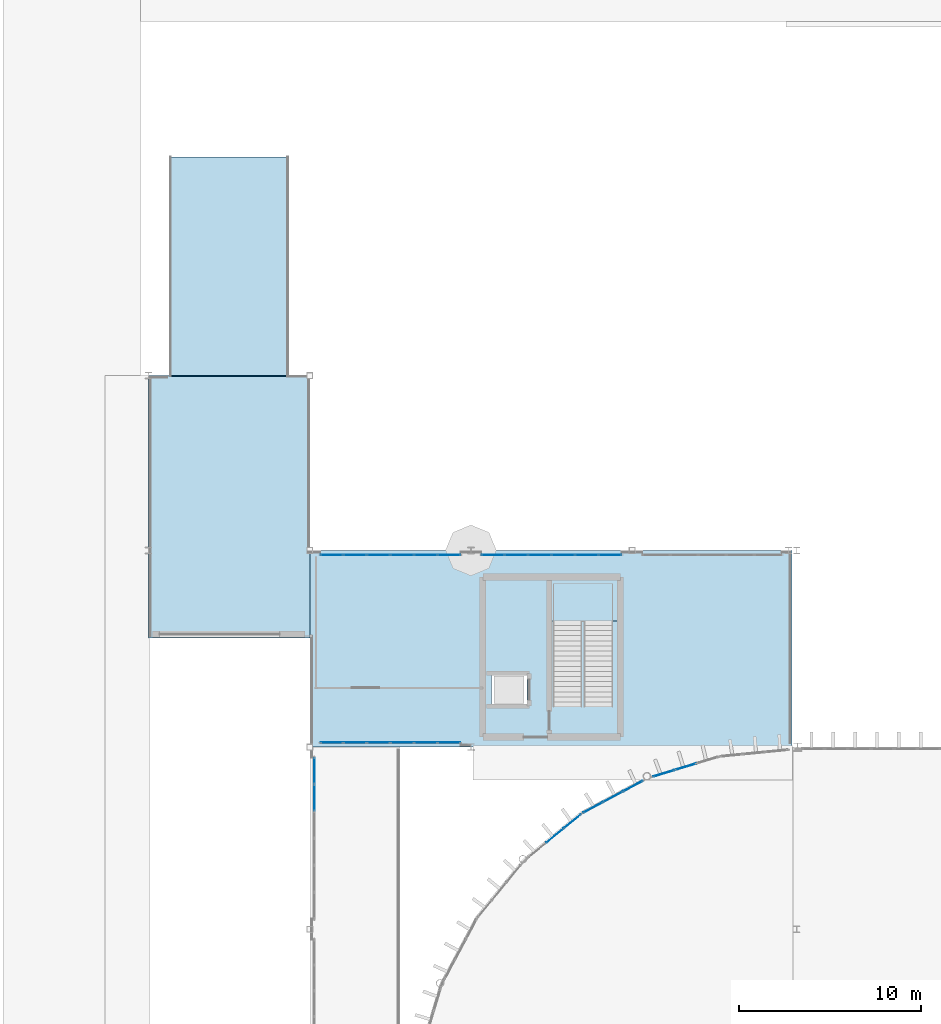
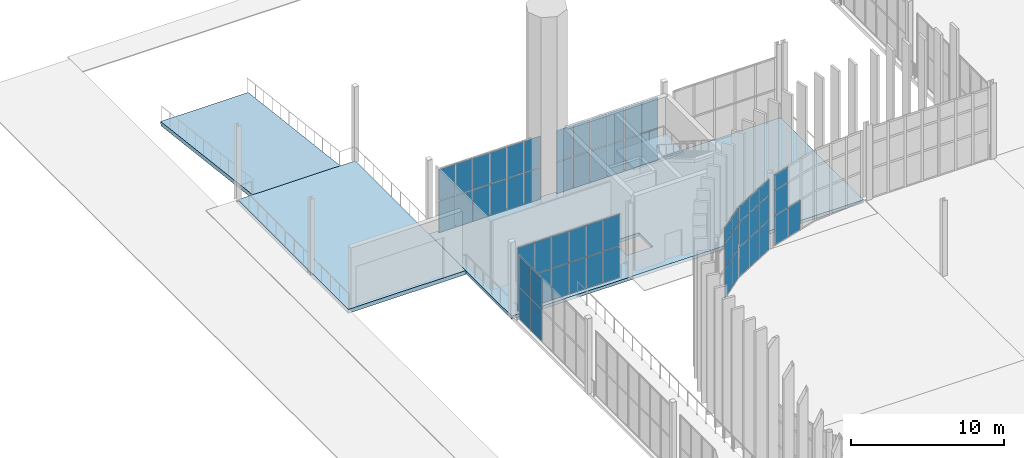
# One storey, part 77 of 139: 59 plates, 4 slabs, 8 elements without a shape of their own.
"""IFC4 building model written with IfcOpenShell, lengths in metres."""

from ifc_helpers import new_model, si_unit, direction, frame, origin, origin_2d, place, context, subcontext, project, spatial, polyline, rectangle, outline, extrude, material, layer, layer_set, type_object, element, aggregate, save


model = new_model("IFC4")

# Units and contexts
model_context = context("Model", 3, precision=1e-05, world=origin(), true_north=direction((0.0, 1.0)))
body_context = subcontext(model_context, "Body", "Model", "MODEL_VIEW")
ifc_project = project(units=[si_unit("LENGTHUNIT", "METRE"), si_unit("AREAUNIT", "SQUARE_METRE"), si_unit("VOLUMEUNIT", "CUBIC_METRE"), si_unit("PLANEANGLEUNIT", "RADIAN"), si_unit("MASSUNIT", "GRAM", prefix="KILO")], contexts=[model_context])

# Site, building, storey
site_placement = place(None, origin())
site = spatial("IfcSite", under=ifc_project, at=site_placement, CompositionType="ELEMENT")
building_placement = place(site_placement, origin())
building = spatial("IfcBuilding", under=site, at=building_placement, Name="Yeouljin Market Hall", CompositionType="ELEMENT")
storey_placement = place(building_placement, origin())
storey = spatial("IfcBuildingStorey", under=building, at=storey_placement, Name="L00", CompositionType="ELEMENT", Elevation=0.0)

# Curtain wall, plates
ifc_material_1 = material(Name="Thermally Broken Aluminium", Category="aluminium")
ifc_layer_1 = layer(ifc_material_1, 0.179931640625)
ifc_layer_set_1 = layer_set([ifc_layer_1], Name="Thermally Broken Aluminium")
curtain_wall_type_1 = type_object("IfcCurtainWallType", Name="CW_ApseCurved_System", PredefinedType="USERDEFINED", material=ifc_layer_set_1)
curtain_wall_1_placement = place(storey_placement, origin())
curtain_wall_1 = element("IfcCurtainWall", 1, at=curtain_wall_1_placement, inside=storey, type_object=curtain_wall_type_1, Name="Curtain wall CW-AP-WL00-13", ObjectType="CURTAIN WALL", PredefinedType="USERDEFINED")
ifc_material_2 = material(Name="Low-E Insulated Glass", Category="glass")
ifc_layer_2 = layer(ifc_material_2, 0.031982421875)
ifc_layer_set_2 = layer_set([ifc_layer_2], Name="Low-E Insulated Glass")
plate_type_1 = type_object("IfcPlateType", Name="CWPanel_AcousticGlass_32", PredefinedType="CURTAIN_PANEL", material=ifc_layer_set_2)
plate_1_placement = place(storey_placement, frame((22.310302734375, 73.138916015625, 0.0478515625), z_axis=(0.0, 0.0, 1.0), x_axis=(0.773017717982, 0.634384432096, 0.0)))
plate_1 = element("IfcPlate", 2, at=plate_1_placement, type_object=plate_type_1, Name="CW-03 panel 2.1", PredefinedType="CURTAIN_PANEL", context=body_context, shape_type="SweptSolid", body=[
    extrude(rectangle(XDim=1.209716796875, YDim=0.031982421875, at=origin_2d()), origin(), (0.0, 0.0, 1.0), 2.327880859375),
])
plate_2_placement = place(storey_placement, frame((22.310302734375, 73.138916015625, 2.423828125), z_axis=(0.0, 0.0, 1.0), x_axis=(0.773017717982, 0.634384432096, 0.0)))
plate_2 = element("IfcPlate", 3, at=plate_2_placement, type_object=plate_type_1, Name="CW-03 panel 2.2", PredefinedType="CURTAIN_PANEL", context=body_context, shape_type="SweptSolid", body=[
    extrude(rectangle(XDim=1.209716796875, YDim=0.031982421875, at=origin_2d()), origin(), (0.0, 0.0, 1.0), 1.951904296875),
])
plate_3_placement = place(storey_placement, frame((22.310302734375, 73.138916015625, 4.424072265625), z_axis=(0.0, 0.0, 1.0), x_axis=(0.773017717982, 0.634384432096, 0.0)))
plate_3 = element("IfcPlate", 4, at=plate_3_placement, type_object=plate_type_1, Name="CW-03 panel 2.3", PredefinedType="CURTAIN_PANEL", context=body_context, shape_type="SweptSolid", body=[
    extrude(rectangle(XDim=1.209716796875, YDim=0.031982421875, at=origin_2d()), origin(), (0.0, 0.0, 1.0), 1.2080078125),
])
plate_4_placement = place(storey_placement, frame((23.2734375, 73.92919921875, 0.0478515625), z_axis=(0.0, 0.0, 1.0), x_axis=(0.773017717982, 0.634384432096, 0.0)))
plate_4 = element("IfcPlate", 5, at=plate_4_placement, type_object=plate_type_1, Name="CW-03 panel 3.1", PredefinedType="CURTAIN_PANEL", context=body_context, shape_type="SweptSolid", body=[
    extrude(rectangle(XDim=1.185791015625, YDim=0.031982421875, at=origin_2d()), origin(), (0.0, 0.0, 1.0), 2.327880859375),
])
plate_5_placement = place(storey_placement, frame((23.2734375, 73.92919921875, 2.423828125), z_axis=(0.0, 0.0, 1.0), x_axis=(0.773017717982, 0.634384432096, 0.0)))
plate_5 = element("IfcPlate", 6, at=plate_5_placement, type_object=plate_type_1, Name="CW-03 panel 3.2", PredefinedType="CURTAIN_PANEL", context=body_context, shape_type="SweptSolid", body=[
    extrude(rectangle(XDim=1.185791015625, YDim=0.031982421875, at=origin_2d()), origin(), (0.0, 0.0, 1.0), 1.951904296875),
])
plate_6_placement = place(storey_placement, frame((23.2734375, 73.92919921875, 4.424072265625), z_axis=(0.0, 0.0, 1.0), x_axis=(0.773017717982, 0.634384432096, 0.0)))
plate_6 = element("IfcPlate", 7, at=plate_6_placement, type_object=plate_type_1, Name="CW-03 panel 3.3", PredefinedType="CURTAIN_PANEL", context=body_context, shape_type="SweptSolid", body=[
    extrude(rectangle(XDim=1.185791015625, YDim=0.031982421875, at=origin_2d()), origin(), (0.0, 0.0, 1.0), 1.2080078125),
])
aggregate(curtain_wall_1, [plate_1, plate_2, plate_3, plate_4, plate_5, plate_6])

curtain_wall_2_placement = place(storey_placement, origin())
curtain_wall_2 = element("IfcCurtainWall", 8, at=curtain_wall_2_placement, inside=storey, type_object=curtain_wall_type_1, Name="Curtain wall CW-AP-WL00-14", ObjectType="CURTAIN WALL", PredefinedType="USERDEFINED")
plate_7_placement = place(storey_placement, frame((24.400146484375, 74.68212890625, 0.0478515625), z_axis=(0.0, 0.0, 1.0), x_axis=(0.881931478712, 0.471377626598, 0.0)))
plate_7 = element("IfcPlate", 9, at=plate_7_placement, type_object=plate_type_1, Name="CW-03 panel 1.1", PredefinedType="CURTAIN_PANEL", context=body_context, shape_type="SweptSolid", body=[
    extrude(rectangle(XDim=1.185791015625, YDim=0.031982421875, at=origin_2d()), origin(), (0.0, 0.0, 1.0), 2.327880859375),
])
plate_8_placement = place(storey_placement, frame((24.400146484375, 74.68212890625, 2.423828125), z_axis=(0.0, 0.0, 1.0), x_axis=(0.881931478712, 0.471377626598, 0.0)))
plate_8 = element("IfcPlate", 10, at=plate_8_placement, type_object=plate_type_1, Name="CW-03 panel 1.2", PredefinedType="CURTAIN_PANEL", context=body_context, shape_type="SweptSolid", body=[
    extrude(rectangle(XDim=1.185791015625, YDim=0.031982421875, at=origin_2d()), origin(), (0.0, 0.0, 1.0), 1.951904296875),
])
plate_9_placement = place(storey_placement, frame((24.400146484375, 74.68212890625, 4.424072265625), z_axis=(0.0, 0.0, 1.0), x_axis=(0.881931478712, 0.471377626598, 0.0)))
plate_9 = element("IfcPlate", 11, at=plate_9_placement, type_object=plate_type_1, Name="CW-03 panel 1.3", PredefinedType="CURTAIN_PANEL", context=body_context, shape_type="SweptSolid", body=[
    extrude(rectangle(XDim=1.185791015625, YDim=0.031982421875, at=origin_2d()), origin(), (0.0, 0.0, 1.0), 1.2080078125),
])
plate_10_placement = place(storey_placement, frame((25.498779296875, 75.269287109375, 0.0478515625), z_axis=(0.0, 0.0, 1.0), x_axis=(0.881931478712, 0.471377626598, 0.0)))
plate_10 = element("IfcPlate", 12, at=plate_10_placement, type_object=plate_type_1, Name="CW-03 panel 2.1", PredefinedType="CURTAIN_PANEL", context=body_context, shape_type="SweptSolid", body=[
    extrude(rectangle(XDim=1.209716796875, YDim=0.031982421875, at=origin_2d()), origin(), (0.0, 0.0, 1.0), 2.327880859375),
])
plate_11_placement = place(storey_placement, frame((25.498779296875, 75.269287109375, 2.423828125), z_axis=(0.0, 0.0, 1.0), x_axis=(0.881931478712, 0.471377626598, 0.0)))
plate_11 = element("IfcPlate", 13, at=plate_11_placement, type_object=plate_type_1, Name="CW-03 panel 2.2", PredefinedType="CURTAIN_PANEL", context=body_context, shape_type="SweptSolid", body=[
    extrude(rectangle(XDim=1.209716796875, YDim=0.031982421875, at=origin_2d()), origin(), (0.0, 0.0, 1.0), 1.951904296875),
])
plate_12_placement = place(storey_placement, frame((25.498779296875, 75.269287109375, 4.424072265625), z_axis=(0.0, 0.0, 1.0), x_axis=(0.881931478712, 0.471377626598, 0.0)))
plate_12 = element("IfcPlate", 14, at=plate_12_placement, type_object=plate_type_1, Name="CW-03 panel 2.3", PredefinedType="CURTAIN_PANEL", context=body_context, shape_type="SweptSolid", body=[
    extrude(rectangle(XDim=1.209716796875, YDim=0.031982421875, at=origin_2d()), origin(), (0.0, 0.0, 1.0), 1.2080078125),
])
plate_13_placement = place(storey_placement, frame((26.597412109375, 75.8564453125, 0.0478515625), z_axis=(0.0, 0.0, 1.0), x_axis=(0.881931478712, 0.471377626598, 0.0)))
plate_13 = element("IfcPlate", 15, at=plate_13_placement, type_object=plate_type_1, Name="CW-03 panel 3.1", PredefinedType="CURTAIN_PANEL", context=body_context, shape_type="SweptSolid", body=[
    extrude(rectangle(XDim=1.185791015625, YDim=0.031982421875, at=origin_2d()), origin(), (0.0, 0.0, 1.0), 2.327880859375),
])
plate_14_placement = place(storey_placement, frame((26.597412109375, 75.8564453125, 2.423828125), z_axis=(0.0, 0.0, 1.0), x_axis=(0.881931478712, 0.471377626598, 0.0)))
plate_14 = element("IfcPlate", 16, at=plate_14_placement, type_object=plate_type_1, Name="CW-03 panel 3.2", PredefinedType="CURTAIN_PANEL", context=body_context, shape_type="SweptSolid", body=[
    extrude(rectangle(XDim=1.185791015625, YDim=0.031982421875, at=origin_2d()), origin(), (0.0, 0.0, 1.0), 1.951904296875),
])
plate_15_placement = place(storey_placement, frame((26.597412109375, 75.8564453125, 4.424072265625), z_axis=(0.0, 0.0, 1.0), x_axis=(0.881931478712, 0.471377626598, 0.0)))
plate_15 = element("IfcPlate", 17, at=plate_15_placement, type_object=plate_type_1, Name="CW-03 panel 3.3", PredefinedType="CURTAIN_PANEL", context=body_context, shape_type="SweptSolid", body=[
    extrude(rectangle(XDim=1.185791015625, YDim=0.031982421875, at=origin_2d()), origin(), (0.0, 0.0, 1.0), 1.2080078125),
])
aggregate(curtain_wall_2, [plate_7, plate_8, plate_9, plate_10, plate_11, plate_12, plate_13, plate_14, plate_15])

curtain_wall_3_placement = place(storey_placement, origin())
curtain_wall_3 = element("IfcCurtainWall", 18, at=curtain_wall_3_placement, inside=storey, type_object=curtain_wall_type_1, Name="Curtain wall CW-AP-WL00-15", ObjectType="CURTAIN WALL", PredefinedType="USERDEFINED")
plate_16_placement = place(storey_placement, frame((28.290771484375, 76.557861328125, 0.0478515625), z_axis=(0.0, 0.0, 1.0), x_axis=(0.95693988447, 0.290286164863, 0.0)))
plate_16 = element("IfcPlate", 19, at=plate_16_placement, type_object=plate_type_1, Name="CW-03 panel 1.1", PredefinedType="CURTAIN_PANEL", context=body_context, shape_type="SweptSolid", body=[
    extrude(rectangle(XDim=1.185791015625, YDim=0.031982421875, at=origin_2d()), origin(), (0.0, 0.0, 1.0), 2.327880859375),
])
plate_17_placement = place(storey_placement, frame((28.290771484375, 76.557861328125, 2.423828125), z_axis=(0.0, 0.0, 1.0), x_axis=(0.95693988447, 0.290286164863, 0.0)))
plate_17 = element("IfcPlate", 20, at=plate_17_placement, type_object=plate_type_1, Name="CW-03 panel 1.2", PredefinedType="CURTAIN_PANEL", context=body_context, shape_type="SweptSolid", body=[
    extrude(rectangle(XDim=1.185791015625, YDim=0.031982421875, at=origin_2d()), origin(), (0.0, 0.0, 1.0), 1.951904296875),
])
plate_18_placement = place(storey_placement, frame((28.290771484375, 76.557861328125, 4.424072265625), z_axis=(0.0, 0.0, 1.0), x_axis=(0.95693988447, 0.290286164863, 0.0)))
plate_18 = element("IfcPlate", 21, at=plate_18_placement, type_object=plate_type_1, Name="CW-03 panel 1.3", PredefinedType="CURTAIN_PANEL", context=body_context, shape_type="SweptSolid", body=[
    extrude(rectangle(XDim=1.185791015625, YDim=0.031982421875, at=origin_2d()), origin(), (0.0, 0.0, 1.0), 1.2080078125),
])
plate_19_placement = place(storey_placement, frame((29.48291015625, 76.91943359375, 0.0478515625), z_axis=(0.0, 0.0, 1.0), x_axis=(0.95693988447, 0.290286164863, 0.0)))
plate_19 = element("IfcPlate", 22, at=plate_19_placement, type_object=plate_type_1, Name="CW-03 panel 2.1", PredefinedType="CURTAIN_PANEL", context=body_context, shape_type="SweptSolid", body=[
    extrude(rectangle(XDim=1.209716796875, YDim=0.031982421875, at=origin_2d()), origin(), (0.0, 0.0, 1.0), 2.327880859375),
])
aggregate(curtain_wall_3, [plate_16, plate_17, plate_18, plate_19])

ifc_material_3 = material(Name="Thermally Broken Aluminium", Category="aluminium")
ifc_layer_3 = layer(ifc_material_3, 0.14990234375)
ifc_layer_set_3 = layer_set([ifc_layer_3], Name="Thermally Broken Aluminium")
curtain_wall_type_2 = type_object("IfcCurtainWallType", Name="CW_WingStorefront_System", PredefinedType="USERDEFINED", material=ifc_layer_set_3)
curtain_wall_4_placement = place(storey_placement, origin())
curtain_wall_4 = element("IfcCurtainWall", 23, at=curtain_wall_4_placement, inside=storey, type_object=curtain_wall_type_2, Name="Curtain wall CW-CRT-L00-01", ObjectType="CURTAIN WALL", PredefinedType="USERDEFINED")
ifc_material_4 = material(Name="Low-E Insulated Glass", Category="glass")
ifc_layer_4 = layer(ifc_material_4, 0.028076171875)
ifc_layer_set_4 = layer_set([ifc_layer_4], Name="Low-E Insulated Glass")
plate_type_2 = type_object("IfcPlateType", Name="CWPanel_LowE_28", PredefinedType="CURTAIN_PANEL", material=ifc_layer_set_4)
plate_20_placement = place(storey_placement, frame((10.057861328125, 88.550048828125, 0.0478515625), z_axis=(0.0, 0.0, 1.0), x_axis=(1.0, 0.0, 0.0)))
plate_20 = element("IfcPlate", 24, at=plate_20_placement, type_object=plate_type_2, Name="CW-04 panel 1.1", PredefinedType="CURTAIN_PANEL", context=body_context, shape_type="SweptSolid", body=[
    extrude(rectangle(XDim=1.2197265625, YDim=0.028076171875, at=origin_2d()), origin(), (0.0, 0.0, 1.0), 2.488037109375),
])
plate_21_placement = place(storey_placement, frame((10.057861328125, 88.550048828125, 2.583984375), z_axis=(0.0, 0.0, 1.0), x_axis=(1.0, 0.0, 0.0)))
plate_21 = element("IfcPlate", 25, at=plate_21_placement, type_object=plate_type_2, Name="CW-04 panel 1.2", PredefinedType="CURTAIN_PANEL", context=body_context, shape_type="SweptSolid", body=[
    extrude(rectangle(XDim=1.2197265625, YDim=0.028076171875, at=origin_2d()), origin(), (0.0, 0.0, 1.0), 2.488037109375),
])
plate_22_placement = place(storey_placement, frame((11.33740234375, 88.550048828125, 0.0478515625), z_axis=(0.0, 0.0, 1.0), x_axis=(1.0, 0.0, 0.0)))
plate_22 = element("IfcPlate", 26, at=plate_22_placement, type_object=plate_type_2, Name="CW-04 panel 2.1", PredefinedType="CURTAIN_PANEL", context=body_context, shape_type="SweptSolid", body=[
    extrude(rectangle(XDim=1.24365234375, YDim=0.028076171875, at=origin_2d()), origin(), (0.0, 0.0, 1.0), 2.488037109375),
])
plate_23_placement = place(storey_placement, frame((11.33740234375, 88.550048828125, 2.583984375), z_axis=(0.0, 0.0, 1.0), x_axis=(1.0, 0.0, 0.0)))
plate_23 = element("IfcPlate", 27, at=plate_23_placement, type_object=plate_type_2, Name="CW-04 panel 2.2", PredefinedType="CURTAIN_PANEL", context=body_context, shape_type="SweptSolid", body=[
    extrude(rectangle(XDim=1.24365234375, YDim=0.028076171875, at=origin_2d()), origin(), (0.0, 0.0, 1.0), 2.488037109375),
])
plate_24_placement = place(storey_placement, frame((12.629150390625, 88.550048828125, 0.0478515625), z_axis=(0.0, 0.0, 1.0), x_axis=(1.0, 0.0, 0.0)))
plate_24 = element("IfcPlate", 28, at=plate_24_placement, type_object=plate_type_2, Name="CW-04 panel 3.1", PredefinedType="CURTAIN_PANEL", context=body_context, shape_type="SweptSolid", body=[
    extrude(rectangle(XDim=1.24365234375, YDim=0.028076171875, at=origin_2d()), origin(), (0.0, 0.0, 1.0), 2.488037109375),
])
plate_25_placement = place(storey_placement, frame((12.629150390625, 88.550048828125, 2.583984375), z_axis=(0.0, 0.0, 1.0), x_axis=(1.0, 0.0, 0.0)))
plate_25 = element("IfcPlate", 29, at=plate_25_placement, type_object=plate_type_2, Name="CW-04 panel 3.2", PredefinedType="CURTAIN_PANEL", context=body_context, shape_type="SweptSolid", body=[
    extrude(rectangle(XDim=1.24365234375, YDim=0.028076171875, at=origin_2d()), origin(), (0.0, 0.0, 1.0), 2.488037109375),
])
plate_26_placement = place(storey_placement, frame((13.9208984375, 88.550048828125, 0.0478515625), z_axis=(0.0, 0.0, 1.0), x_axis=(1.0, 0.0, 0.0)))
plate_26 = element("IfcPlate", 30, at=plate_26_placement, type_object=plate_type_2, Name="CW-04 panel 4.1", PredefinedType="CURTAIN_PANEL", context=body_context, shape_type="SweptSolid", body=[
    extrude(rectangle(XDim=1.24365234375, YDim=0.028076171875, at=origin_2d()), origin(), (0.0, 0.0, 1.0), 2.488037109375),
])
plate_27_placement = place(storey_placement, frame((13.9208984375, 88.550048828125, 2.583984375), z_axis=(0.0, 0.0, 1.0), x_axis=(1.0, 0.0, 0.0)))
plate_27 = element("IfcPlate", 31, at=plate_27_placement, type_object=plate_type_2, Name="CW-04 panel 4.2", PredefinedType="CURTAIN_PANEL", context=body_context, shape_type="SweptSolid", body=[
    extrude(rectangle(XDim=1.24365234375, YDim=0.028076171875, at=origin_2d()), origin(), (0.0, 0.0, 1.0), 2.488037109375),
])
plate_28_placement = place(storey_placement, frame((15.21240234375, 88.550048828125, 0.0478515625), z_axis=(0.0, 0.0, 1.0), x_axis=(1.0, 0.0, 0.0)))
plate_28 = element("IfcPlate", 32, at=plate_28_placement, type_object=plate_type_2, Name="CW-04 panel 5.1", PredefinedType="CURTAIN_PANEL", context=body_context, shape_type="SweptSolid", body=[
    extrude(rectangle(XDim=1.24365234375, YDim=0.028076171875, at=origin_2d()), origin(), (0.0, 0.0, 1.0), 2.488037109375),
])
plate_29_placement = place(storey_placement, frame((15.21240234375, 88.550048828125, 2.583984375), z_axis=(0.0, 0.0, 1.0), x_axis=(1.0, 0.0, 0.0)))
plate_29 = element("IfcPlate", 33, at=plate_29_placement, type_object=plate_type_2, Name="CW-04 panel 5.2", PredefinedType="CURTAIN_PANEL", context=body_context, shape_type="SweptSolid", body=[
    extrude(rectangle(XDim=1.24365234375, YDim=0.028076171875, at=origin_2d()), origin(), (0.0, 0.0, 1.0), 2.488037109375),
])
plate_30_placement = place(storey_placement, frame((16.4921875, 88.550048828125, 0.0478515625), z_axis=(0.0, 0.0, 1.0), x_axis=(1.0, 0.0, 0.0)))
plate_30 = element("IfcPlate", 34, at=plate_30_placement, type_object=plate_type_2, Name="CW-04 panel 6.1", PredefinedType="CURTAIN_PANEL", context=body_context, shape_type="SweptSolid", body=[
    extrude(rectangle(XDim=1.2197265625, YDim=0.028076171875, at=origin_2d()), origin(), (0.0, 0.0, 1.0), 2.488037109375),
])
plate_31_placement = place(storey_placement, frame((16.4921875, 88.550048828125, 2.583984375), z_axis=(0.0, 0.0, 1.0), x_axis=(1.0, 0.0, 0.0)))
plate_31 = element("IfcPlate", 35, at=plate_31_placement, type_object=plate_type_2, Name="CW-04 panel 6.2", PredefinedType="CURTAIN_PANEL", context=body_context, shape_type="SweptSolid", body=[
    extrude(rectangle(XDim=1.2197265625, YDim=0.028076171875, at=origin_2d()), origin(), (0.0, 0.0, 1.0), 2.488037109375),
])
aggregate(curtain_wall_4, [plate_20, plate_21, plate_22, plate_23, plate_24, plate_25, plate_26, plate_27, plate_28, plate_29, plate_30, plate_31])

curtain_wall_5_placement = place(storey_placement, origin())
curtain_wall_5 = element("IfcCurtainWall", 36, at=curtain_wall_5_placement, inside=storey, type_object=curtain_wall_type_2, Name="Curtain wall CW-CRT-L00-02", ObjectType="CURTAIN WALL", PredefinedType="USERDEFINED")
plate_32_placement = place(storey_placement, frame((18.90771484375, 88.550048828125, 0.0478515625), z_axis=(0.0, 0.0, 1.0), x_axis=(1.0, 0.0, 0.0)))
plate_32 = element("IfcPlate", 37, at=plate_32_placement, type_object=plate_type_2, Name="CW-04 panel 1.1", PredefinedType="CURTAIN_PANEL", context=body_context, shape_type="SweptSolid", body=[
    extrude(rectangle(XDim=1.2197265625, YDim=0.028076171875, at=origin_2d()), origin(), (0.0, 0.0, 1.0), 2.488037109375),
])
plate_33_placement = place(storey_placement, frame((18.90771484375, 88.550048828125, 2.583984375), z_axis=(0.0, 0.0, 1.0), x_axis=(1.0, 0.0, 0.0)))
plate_33 = element("IfcPlate", 38, at=plate_33_placement, type_object=plate_type_2, Name="CW-04 panel 1.2", PredefinedType="CURTAIN_PANEL", context=body_context, shape_type="SweptSolid", body=[
    extrude(rectangle(XDim=1.2197265625, YDim=0.028076171875, at=origin_2d()), origin(), (0.0, 0.0, 1.0), 2.488037109375),
])
plate_34_placement = place(storey_placement, frame((20.1875, 88.550048828125, 0.0478515625), z_axis=(0.0, 0.0, 1.0), x_axis=(1.0, 0.0, 0.0)))
plate_34 = element("IfcPlate", 39, at=plate_34_placement, type_object=plate_type_2, Name="CW-04 panel 2.1", PredefinedType="CURTAIN_PANEL", context=body_context, shape_type="SweptSolid", body=[
    extrude(rectangle(XDim=1.24365234375, YDim=0.028076171875, at=origin_2d()), origin(), (0.0, 0.0, 1.0), 2.488037109375),
])
plate_35_placement = place(storey_placement, frame((20.1875, 88.550048828125, 2.583984375), z_axis=(0.0, 0.0, 1.0), x_axis=(1.0, 0.0, 0.0)))
plate_35 = element("IfcPlate", 40, at=plate_35_placement, type_object=plate_type_2, Name="CW-04 panel 2.2", PredefinedType="CURTAIN_PANEL", context=body_context, shape_type="SweptSolid", body=[
    extrude(rectangle(XDim=1.24365234375, YDim=0.028076171875, at=origin_2d()), origin(), (0.0, 0.0, 1.0), 2.488037109375),
])
plate_36_placement = place(storey_placement, frame((21.479248046875, 88.550048828125, 0.0478515625), z_axis=(0.0, 0.0, 1.0), x_axis=(1.0, 0.0, 0.0)))
plate_36 = element("IfcPlate", 41, at=plate_36_placement, type_object=plate_type_2, Name="CW-04 panel 3.1", PredefinedType="CURTAIN_PANEL", context=body_context, shape_type="SweptSolid", body=[
    extrude(rectangle(XDim=1.24365234375, YDim=0.028076171875, at=origin_2d()), origin(), (0.0, 0.0, 1.0), 2.488037109375),
])
plate_37_placement = place(storey_placement, frame((21.479248046875, 88.550048828125, 2.583984375), z_axis=(0.0, 0.0, 1.0), x_axis=(1.0, 0.0, 0.0)))
plate_37 = element("IfcPlate", 42, at=plate_37_placement, type_object=plate_type_2, Name="CW-04 panel 3.2", PredefinedType="CURTAIN_PANEL", context=body_context, shape_type="SweptSolid", body=[
    extrude(rectangle(XDim=1.24365234375, YDim=0.028076171875, at=origin_2d()), origin(), (0.0, 0.0, 1.0), 2.488037109375),
])
plate_38_placement = place(storey_placement, frame((22.770751953125, 88.550048828125, 0.0478515625), z_axis=(0.0, 0.0, 1.0), x_axis=(1.0, 0.0, 0.0)))
plate_38 = element("IfcPlate", 43, at=plate_38_placement, type_object=plate_type_2, Name="CW-04 panel 4.1", PredefinedType="CURTAIN_PANEL", context=body_context, shape_type="SweptSolid", body=[
    extrude(rectangle(XDim=1.24365234375, YDim=0.028076171875, at=origin_2d()), origin(), (0.0, 0.0, 1.0), 2.488037109375),
])
plate_39_placement = place(storey_placement, frame((22.770751953125, 88.550048828125, 2.583984375), z_axis=(0.0, 0.0, 1.0), x_axis=(1.0, 0.0, 0.0)))
plate_39 = element("IfcPlate", 44, at=plate_39_placement, type_object=plate_type_2, Name="CW-04 panel 4.2", PredefinedType="CURTAIN_PANEL", context=body_context, shape_type="SweptSolid", body=[
    extrude(rectangle(XDim=1.24365234375, YDim=0.028076171875, at=origin_2d()), origin(), (0.0, 0.0, 1.0), 2.488037109375),
])
plate_40_placement = place(storey_placement, frame((24.0625, 88.550048828125, 0.0478515625), z_axis=(0.0, 0.0, 1.0), x_axis=(1.0, 0.0, 0.0)))
plate_40 = element("IfcPlate", 45, at=plate_40_placement, type_object=plate_type_2, Name="CW-04 panel 5.1", PredefinedType="CURTAIN_PANEL", context=body_context, shape_type="SweptSolid", body=[
    extrude(rectangle(XDim=1.24365234375, YDim=0.028076171875, at=origin_2d()), origin(), (0.0, 0.0, 1.0), 2.488037109375),
])
plate_41_placement = place(storey_placement, frame((24.0625, 88.550048828125, 2.583984375), z_axis=(0.0, 0.0, 1.0), x_axis=(1.0, 0.0, 0.0)))
plate_41 = element("IfcPlate", 46, at=plate_41_placement, type_object=plate_type_2, Name="CW-04 panel 5.2", PredefinedType="CURTAIN_PANEL", context=body_context, shape_type="SweptSolid", body=[
    extrude(rectangle(XDim=1.24365234375, YDim=0.028076171875, at=origin_2d()), origin(), (0.0, 0.0, 1.0), 2.488037109375),
])
plate_42_placement = place(storey_placement, frame((25.34228515625, 88.550048828125, 0.0478515625), z_axis=(0.0, 0.0, 1.0), x_axis=(1.0, 0.0, 0.0)))
plate_42 = element("IfcPlate", 47, at=plate_42_placement, type_object=plate_type_2, Name="CW-04 panel 6.1", PredefinedType="CURTAIN_PANEL", context=body_context, shape_type="SweptSolid", body=[
    extrude(rectangle(XDim=1.2197265625, YDim=0.028076171875, at=origin_2d()), origin(), (0.0, 0.0, 1.0), 2.488037109375),
])
plate_43_placement = place(storey_placement, frame((25.34228515625, 88.550048828125, 2.583984375), z_axis=(0.0, 0.0, 1.0), x_axis=(1.0, 0.0, 0.0)))
plate_43 = element("IfcPlate", 48, at=plate_43_placement, type_object=plate_type_2, Name="CW-04 panel 6.2", PredefinedType="CURTAIN_PANEL", context=body_context, shape_type="SweptSolid", body=[
    extrude(rectangle(XDim=1.2197265625, YDim=0.028076171875, at=origin_2d()), origin(), (0.0, 0.0, 1.0), 2.488037109375),
])
aggregate(curtain_wall_5, [plate_32, plate_33, plate_34, plate_35, plate_36, plate_37, plate_38, plate_39, plate_40, plate_41, plate_42, plate_43])

curtain_wall_6_placement = place(storey_placement, origin())
curtain_wall_6 = element("IfcCurtainWall", 49, at=curtain_wall_6_placement, inside=storey, type_object=curtain_wall_type_2, Name="Curtain wall CW-CRT-L00-04", ObjectType="CURTAIN WALL", PredefinedType="USERDEFINED")
plate_44_placement = place(storey_placement, frame((16.4921875, 78.25, 0.0478515625), z_axis=(0.0, 0.0, 1.0), x_axis=(-1.0, 0.0, 0.0)))
plate_44 = element("IfcPlate", 50, at=plate_44_placement, type_object=plate_type_2, Name="CW-04 panel 1.1", PredefinedType="CURTAIN_PANEL", context=body_context, shape_type="SweptSolid", body=[
    extrude(rectangle(XDim=1.2197265625, YDim=0.028076171875, at=origin_2d()), origin(), (0.0, 0.0, 1.0), 2.488037109375),
])
plate_45_placement = place(storey_placement, frame((16.4921875, 78.25, 2.583984375), z_axis=(0.0, 0.0, 1.0), x_axis=(-1.0, 0.0, 0.0)))
plate_45 = element("IfcPlate", 51, at=plate_45_placement, type_object=plate_type_2, Name="CW-04 panel 1.2", PredefinedType="CURTAIN_PANEL", context=body_context, shape_type="SweptSolid", body=[
    extrude(rectangle(XDim=1.2197265625, YDim=0.028076171875, at=origin_2d()), origin(), (0.0, 0.0, 1.0), 2.488037109375),
])
plate_46_placement = place(storey_placement, frame((15.21240234375, 78.25, 0.0478515625), z_axis=(0.0, 0.0, 1.0), x_axis=(-1.0, 0.0, 0.0)))
plate_46 = element("IfcPlate", 52, at=plate_46_placement, type_object=plate_type_2, Name="CW-04 panel 2.1", PredefinedType="CURTAIN_PANEL", context=body_context, shape_type="SweptSolid", body=[
    extrude(rectangle(XDim=1.24365234375, YDim=0.028076171875, at=origin_2d()), origin(), (0.0, 0.0, 1.0), 2.488037109375),
])
plate_47_placement = place(storey_placement, frame((15.21240234375, 78.25, 2.583984375), z_axis=(0.0, 0.0, 1.0), x_axis=(-1.0, 0.0, 0.0)))
plate_47 = element("IfcPlate", 53, at=plate_47_placement, type_object=plate_type_2, Name="CW-04 panel 2.2", PredefinedType="CURTAIN_PANEL", context=body_context, shape_type="SweptSolid", body=[
    extrude(rectangle(XDim=1.24365234375, YDim=0.028076171875, at=origin_2d()), origin(), (0.0, 0.0, 1.0), 2.488037109375),
])
plate_48_placement = place(storey_placement, frame((13.9208984375, 78.25, 0.0478515625), z_axis=(0.0, 0.0, 1.0), x_axis=(-1.0, 0.0, 0.0)))
plate_48 = element("IfcPlate", 54, at=plate_48_placement, type_object=plate_type_2, Name="CW-04 panel 3.1", PredefinedType="CURTAIN_PANEL", context=body_context, shape_type="SweptSolid", body=[
    extrude(rectangle(XDim=1.24365234375, YDim=0.028076171875, at=origin_2d()), origin(), (0.0, 0.0, 1.0), 2.488037109375),
])
plate_49_placement = place(storey_placement, frame((13.9208984375, 78.25, 2.583984375), z_axis=(0.0, 0.0, 1.0), x_axis=(-1.0, 0.0, 0.0)))
plate_49 = element("IfcPlate", 55, at=plate_49_placement, type_object=plate_type_2, Name="CW-04 panel 3.2", PredefinedType="CURTAIN_PANEL", context=body_context, shape_type="SweptSolid", body=[
    extrude(rectangle(XDim=1.24365234375, YDim=0.028076171875, at=origin_2d()), origin(), (0.0, 0.0, 1.0), 2.488037109375),
])
plate_50_placement = place(storey_placement, frame((12.629150390625, 78.25, 0.0478515625), z_axis=(0.0, 0.0, 1.0), x_axis=(-1.0, 0.0, 0.0)))
plate_50 = element("IfcPlate", 56, at=plate_50_placement, type_object=plate_type_2, Name="CW-04 panel 4.1", PredefinedType="CURTAIN_PANEL", context=body_context, shape_type="SweptSolid", body=[
    extrude(rectangle(XDim=1.24365234375, YDim=0.028076171875, at=origin_2d()), origin(), (0.0, 0.0, 1.0), 2.488037109375),
])
plate_51_placement = place(storey_placement, frame((12.629150390625, 78.25, 2.583984375), z_axis=(0.0, 0.0, 1.0), x_axis=(-1.0, 0.0, 0.0)))
plate_51 = element("IfcPlate", 57, at=plate_51_placement, type_object=plate_type_2, Name="CW-04 panel 4.2", PredefinedType="CURTAIN_PANEL", context=body_context, shape_type="SweptSolid", body=[
    extrude(rectangle(XDim=1.24365234375, YDim=0.028076171875, at=origin_2d()), origin(), (0.0, 0.0, 1.0), 2.488037109375),
])
plate_52_placement = place(storey_placement, frame((11.33740234375, 78.25, 0.0478515625), z_axis=(0.0, 0.0, 1.0), x_axis=(-1.0, 0.0, 0.0)))
plate_52 = element("IfcPlate", 58, at=plate_52_placement, type_object=plate_type_2, Name="CW-04 panel 5.1", PredefinedType="CURTAIN_PANEL", context=body_context, shape_type="SweptSolid", body=[
    extrude(rectangle(XDim=1.24365234375, YDim=0.028076171875, at=origin_2d()), origin(), (0.0, 0.0, 1.0), 2.488037109375),
])
plate_53_placement = place(storey_placement, frame((11.33740234375, 78.25, 2.583984375), z_axis=(0.0, 0.0, 1.0), x_axis=(-1.0, 0.0, 0.0)))
plate_53 = element("IfcPlate", 59, at=plate_53_placement, type_object=plate_type_2, Name="CW-04 panel 5.2", PredefinedType="CURTAIN_PANEL", context=body_context, shape_type="SweptSolid", body=[
    extrude(rectangle(XDim=1.24365234375, YDim=0.028076171875, at=origin_2d()), origin(), (0.0, 0.0, 1.0), 2.488037109375),
])
plate_54_placement = place(storey_placement, frame((10.057861328125, 78.25, 0.0478515625), z_axis=(0.0, 0.0, 1.0), x_axis=(-1.0, 0.0, 0.0)))
plate_54 = element("IfcPlate", 60, at=plate_54_placement, type_object=plate_type_2, Name="CW-04 panel 6.1", PredefinedType="CURTAIN_PANEL", context=body_context, shape_type="SweptSolid", body=[
    extrude(rectangle(XDim=1.2197265625, YDim=0.028076171875, at=origin_2d()), origin(), (0.0, 0.0, 1.0), 2.488037109375),
])
plate_55_placement = place(storey_placement, frame((10.057861328125, 78.25, 2.583984375), z_axis=(0.0, 0.0, 1.0), x_axis=(-1.0, 0.0, 0.0)))
plate_55 = element("IfcPlate", 61, at=plate_55_placement, type_object=plate_type_2, Name="CW-04 panel 6.2", PredefinedType="CURTAIN_PANEL", context=body_context, shape_type="SweptSolid", body=[
    extrude(rectangle(XDim=1.2197265625, YDim=0.028076171875, at=origin_2d()), origin(), (0.0, 0.0, 1.0), 2.488037109375),
])
aggregate(curtain_wall_6, [plate_44, plate_45, plate_46, plate_47, plate_48, plate_49, plate_50, plate_51, plate_52, plate_53, plate_54, plate_55])

curtain_wall_7_placement = place(storey_placement, origin())
curtain_wall_7 = element("IfcCurtainWall", 62, at=curtain_wall_7_placement, inside=storey, type_object=curtain_wall_type_2, Name="Curtain wall CW-CRT-L00-08", ObjectType="CURTAIN WALL", PredefinedType="USERDEFINED")
plate_56_placement = place(storey_placement, frame((9.10009765625, 75.22509765625, 0.0478515625), z_axis=(0.0, 0.0, 1.0), x_axis=(0.0, 1.0, 0.0)))
plate_56 = element("IfcPlate", 63, at=plate_56_placement, type_object=plate_type_2, Name="CW-04 panel 5.1", PredefinedType="CURTAIN_PANEL", context=body_context, shape_type="SweptSolid", body=[
    extrude(rectangle(XDim=1.435302734375, YDim=0.028076171875, at=origin_2d()), origin(), (0.0, 0.0, 1.0), 2.488037109375),
])
plate_57_placement = place(storey_placement, frame((9.10009765625, 75.22509765625, 2.583984375), z_axis=(0.0, 0.0, 1.0), x_axis=(0.0, 1.0, 0.0)))
plate_57 = element("IfcPlate", 64, at=plate_57_placement, type_object=plate_type_2, Name="CW-04 panel 5.2", PredefinedType="CURTAIN_PANEL", context=body_context, shape_type="SweptSolid", body=[
    extrude(rectangle(XDim=1.435302734375, YDim=0.028076171875, at=origin_2d()), origin(), (0.0, 0.0, 1.0), 2.488037109375),
])
plate_58_placement = place(storey_placement, frame((9.10009765625, 76.6962890625, 0.0478515625), z_axis=(0.0, 0.0, 1.0), x_axis=(0.0, 1.0, 0.0)))
plate_58 = element("IfcPlate", 65, at=plate_58_placement, type_object=plate_type_2, Name="CW-04 panel 6.1", PredefinedType="CURTAIN_PANEL", context=body_context, shape_type="SweptSolid", body=[
    extrude(rectangle(XDim=1.411376953125, YDim=0.028076171875, at=origin_2d()), origin(), (0.0, 0.0, 1.0), 2.488037109375),
])
plate_59_placement = place(storey_placement, frame((9.10009765625, 76.6962890625, 2.583984375), z_axis=(0.0, 0.0, 1.0), x_axis=(0.0, 1.0, 0.0)))
plate_59 = element("IfcPlate", 66, at=plate_59_placement, type_object=plate_type_2, Name="CW-04 panel 6.2", PredefinedType="CURTAIN_PANEL", context=body_context, shape_type="SweptSolid", body=[
    extrude(rectangle(XDim=1.411376953125, YDim=0.028076171875, at=origin_2d()), origin(), (0.0, 0.0, 1.0), 2.488037109375),
])
aggregate(curtain_wall_7, [plate_56, plate_57, plate_58, plate_59])

# Slabs
ifc_material_5 = material(Name="Concrete C35/45", Category="concrete")
ifc_layer_5 = layer(ifc_material_5, 0.320068359375)
ifc_layer_set_5 = layer_set([ifc_layer_5], Name="Concrete C35/45")
slab_type_1 = type_object("IfcSlabType", Name="SLB_DOCK_320", PredefinedType="FLOOR", material=ifc_layer_set_5)
slab_1_placement = place(storey_placement, frame((0.0, 0.0, -0.320068359375)))
element("IfcSlab", 67, at=slab_1_placement, inside=storey, type_object=slab_type_1, Name="Structural slab SLB-L00-WA", PredefinedType="FLOOR", context=body_context, shape_type="SweptSolid", body=[
    extrude(outline(polyline([(0.0, 84.0), (8.85009765625, 84.0), (8.85009765625, 98.39990234375), (0.0, 98.39990234375), (0.0, 84.0)])), origin(), (0.0, 0.0, 1.0), 0.320068359375),
])
ifc_material_6 = material(Name="Concrete C35/45", Category="concrete")
ifc_layer_6 = layer(ifc_material_6, 0.320068359375)
ifc_layer_set_6 = layer_set([ifc_layer_6], Name="Concrete C35/45")
slab_type_2 = type_object("IfcSlabType", Name="SLB_RAMP_300", PredefinedType="FLOOR", material=ifc_layer_set_6)
slab_2_placement = place(storey_placement, frame((1.1201171875, 98.39990234375, 0.0), z_axis=(0.0, 0.119140441403, 0.992877411981), x_axis=(0.0, 0.992877411981, -0.119140441403)))
element("IfcSlab", 68, at=slab_2_placement, inside=storey, type_object=slab_type_2, Name="Service apron vehicular ramp structural slab SLB-RMP-APRON", PredefinedType="FLOOR", context=body_context, shape_type="SweptSolid", body=[
    extrude(outline(polyline([(0.0, 0.0), (12.08608419850835, 0.0), (12.08608419850835, -6.599853515625), (0.0, -6.599853515625), (0.0, 0.0)])), origin(), (0.0, 0.0, -1.0), 0.320068359375),
])
ifc_material_7 = material(Name="Concrete C30/37", Category="concrete")
ifc_layer_7 = layer(ifc_material_7, 0.25)
ifc_layer_set_7 = layer_set([ifc_layer_7], Name="Concrete C30/37")
slab_type_3 = type_object("IfcSlabType", Name="SLB_WING_250", PredefinedType="FLOOR", material=ifc_layer_set_7)
slab_3_placement = place(storey_placement, frame((0.0, 0.0, -0.25)))
element("IfcSlab", 69, at=slab_3_placement, inside=storey, type_object=slab_type_3, Name="Structural slab SLB-L00-WN", PredefinedType="FLOOR", context=body_context, shape_type="SweptSolid", body=[
    extrude(outline(polyline([(8.85009765625, 78.0), (35.320068359375, 78.0), (35.320068359375, 88.800048828125), (8.85009765625, 88.800048828125), (8.85009765625, 78.0)]), holes=[polyline([(18.824951171875, 80.25), (20.77490234375, 80.25), (20.77490234375, 82.050048828125), (18.824951171875, 82.050048828125), (18.824951171875, 80.25)])]), origin(), (0.0, 0.0, 1.0), 0.25),
])

# Stair, slab
ifc_material_8 = material(Name="Concrete C30/37", Category="concrete")
stair_type = type_object("IfcStairType", Name="Stair_Core_L00_L01", PredefinedType="TWO_STRAIGHT_RUN_STAIR", material=ifc_material_8)
stair_placement = place(storey_placement, origin())
stair = element("IfcStair", 70, at=stair_placement, inside=storey, type_object=stair_type, Name="Enclosed exit stair ST-C2-L00", PredefinedType="TWO_STRAIGHT_RUN_STAIR")
ifc_material_9 = material(Name="Concrete C30/37", Category="concrete")
ifc_layer_8 = layer(ifc_material_9, 0.199951171875)
ifc_layer_set_8 = layer_set([ifc_layer_8], Name="Concrete C30/37")
slab_type_4 = type_object("IfcSlabType", Name="StairLanding_200", PredefinedType="LANDING", material=ifc_layer_set_8)
slab_4_placement = place(storey_placement, frame((0.0, 0.0, 2.800048828125)))
slab_4 = element("IfcSlab", 71, at=slab_4_placement, type_object=slab_type_4, Name="ST-C2-L00 landing 1", PredefinedType="LANDING", context=body_context, shape_type="SweptSolid", body=[
    extrude(outline(polyline([(22.030029296875, 84.919921875), (25.780029296875, 84.919921875), (25.780029296875, 87.22998046875), (22.030029296875, 87.22998046875), (22.030029296875, 84.919921875)])), origin(), (0.0, 0.0, 1.0), 0.199951171875),
])
aggregate(stair, [slab_4])

save(model, "model.ifc")
